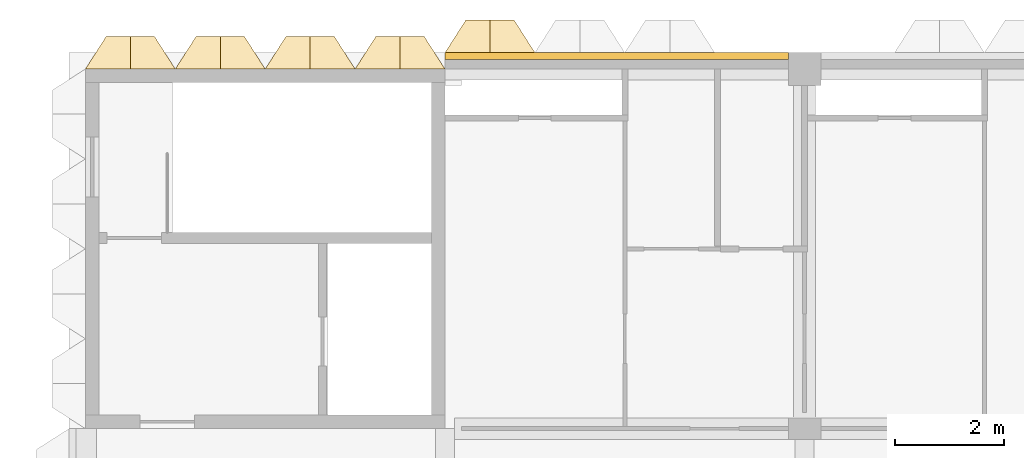
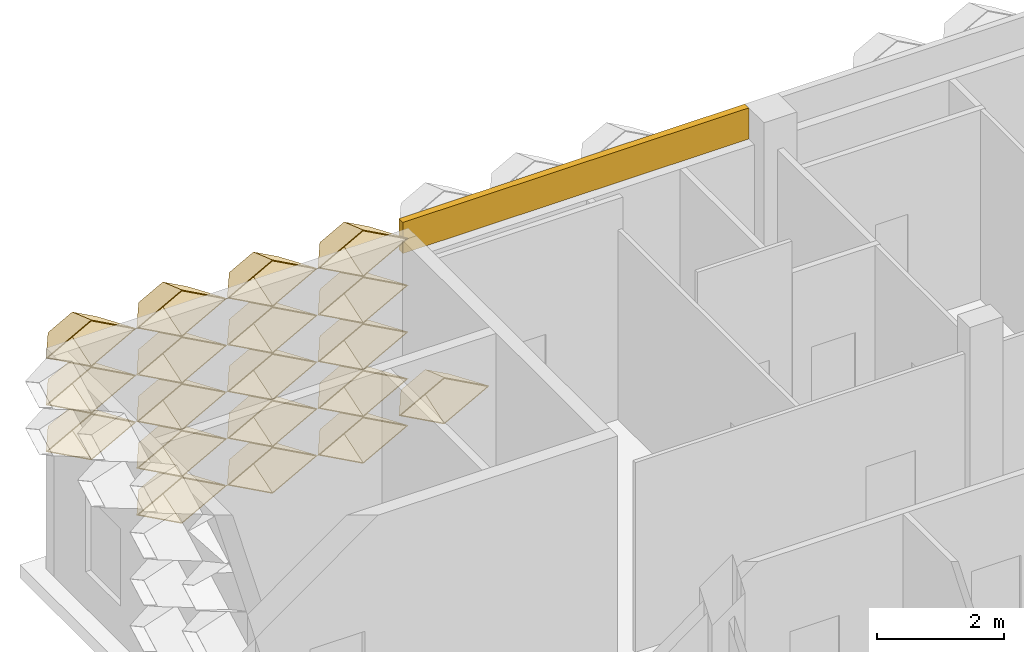
# One storey, part 75 of 85: 20 coverings.
"""IFC4 building model written with IfcOpenShell, lengths in metres."""

from ifc_helpers import new_model, entity, si_unit, direction, frame, frame_2d, origin, place, context, subcontext, project, spatial, rectangle, extrude, material, layer, layer_set, type_object, element, save


model = new_model("IFC4")

# Units and contexts
model_context = context("Model", 3, precision=1e-05, world=origin(), true_north=direction((0.0, 1.0)))
body_context = subcontext(model_context, "Body", "Model", "MODEL_VIEW")
ifc_project = project(units=[si_unit("LENGTHUNIT", "METRE"), si_unit("AREAUNIT", "SQUARE_METRE"), si_unit("VOLUMEUNIT", "CUBIC_METRE"), si_unit("PLANEANGLEUNIT", "RADIAN"), si_unit("MASSUNIT", "GRAM", prefix="KILO")], contexts=[model_context])

# Site, building, storey
site_placement = place(None, origin())
site = spatial("IfcSite", under=ifc_project, at=site_placement, CompositionType="ELEMENT")
building_placement = place(site_placement, origin())
building = spatial("IfcBuilding", under=site, at=building_placement, Name="Lantern Court Research Institute", CompositionType="ELEMENT")
storey_placement = place(building_placement, frame((0.0, 0.0, 18.89990234375)))
storey = spatial("IfcBuildingStorey", under=building, at=storey_placement, Name="L04", CompositionType="ELEMENT", Elevation=18.89990234375)

# Coverings
ifc_material_1 = material(Name="Aluminium composite panel with mineral wool insulation", Category="aluminium")
ifc_layer_1 = layer(ifc_material_1, 0.125)
ifc_layer_set_1 = layer_set([ifc_layer_1], Name="Aluminium composite panel with mineral wool insulation")
covering_type_1 = type_object("IfcCoveringType", Name="Edge fascia panel 125 aluminium faced", PredefinedType="CLADDING", material=ifc_layer_set_1)
covering_1_placement = place(storey_placement, frame((6.60009765625, 99.237548828125, 3.650146484375), z_axis=(0.0, 0.0, 1.0), x_axis=(1.0, 0.0, 0.0)))
element("IfcCovering", 1, at=covering_1_placement, inside=storey, type_object=covering_type_1, Name="Edge fascia V6N L04 01", PredefinedType="CLADDING", context=body_context, shape_type="SweptSolid", body=[
    extrude(rectangle(XDim=6.2998046875, YDim=0.125, at=frame_2d((3.14990234375, 0.0))), origin(), (0.0, 0.0, 1.0), 0.599853515625),
])
ifc_material_2 = material(Name="Anodised aluminium", Category="aluminium")
ifc_layer_2 = layer(ifc_material_2, 0.01611328125)
ifc_layer_set_2 = layer_set([ifc_layer_2], Name="Anodised aluminium")
covering_type_2 = type_object("IfcCoveringType", Name="Fin cassette 1650 x 900 x 600 aluminium", PredefinedType="CLADDING", material=ifc_layer_set_2)
covering_2_placement = place(storey_placement, frame((2.47509765625, 99.0, 0.4501953125), z_axis=(0.0, 1.0, 0.0), x_axis=(-1.0, 0.0, 0.0)))
cartesian_point_1 = entity("IfcCartesianPoint", [0.824951171875, 0.0])
cartesian_point_2 = entity("IfcCartesianPoint", [0.79150390625, 0.0])
cartesian_point_3 = entity("IfcCartesianPoint", [0.44189453125, 0.0])
cartesian_point_4 = entity("IfcCartesianPoint", [0.43359375, 0.0])
element("IfcCovering", 2, at=covering_2_placement, inside=storey, type_object=covering_type_2, Name="Fin cassette V6N-L04 1.2", PredefinedType="CLADDING", context=body_context, shape_type="SweptSolid", body=[
    entity("IfcExtrudedAreaSolidTapered", entity("IfcArbitraryProfileDefWithVoids", "AREA", None, entity("IfcPolyline", [cartesian_point_1, entity("IfcCartesianPoint", [0.0, 0.449951171875]), entity("IfcCartesianPoint", [-0.824951171875, 0.0]), entity("IfcCartesianPoint", [0.0, -0.449951171875]), cartesian_point_1]), [entity("IfcPolyline", [cartesian_point_2, entity("IfcCartesianPoint", [0.0, 0.431884765625]), entity("IfcCartesianPoint", [-0.79150390625, 0.0]), entity("IfcCartesianPoint", [0.0, -0.431884765625]), cartesian_point_2])]), entity("IfcAxis2Placement3D", entity("IfcCartesianPoint", [0.0, 0.0, 0.0])), entity("IfcDirection", [0.0, 0.0, 1.0]), 0.60009765625, entity("IfcArbitraryProfileDefWithVoids", "AREA", None, entity("IfcPolyline", [cartesian_point_3, entity("IfcCartesianPoint", [0.0, 0.240966796875]), entity("IfcCartesianPoint", [-0.44189453125, 0.0]), entity("IfcCartesianPoint", [0.0, -0.240966796875]), cartesian_point_3]), [entity("IfcPolyline", [cartesian_point_4, entity("IfcCartesianPoint", [0.0, 0.236572265625]), entity("IfcCartesianPoint", [-0.43359375, 0.0]), entity("IfcCartesianPoint", [0.0, -0.236572265625]), cartesian_point_4])])),
])
covering_3_placement = place(storey_placement, frame((4.125, 99.0, 0.4501953125), z_axis=(0.0, 1.0, 0.0), x_axis=(-1.0, 0.0, 0.0)))
cartesian_point_5 = entity("IfcCartesianPoint", [0.824951171875, 0.0])
cartesian_point_6 = entity("IfcCartesianPoint", [0.79150390625, 0.0])
cartesian_point_7 = entity("IfcCartesianPoint", [0.44189453125, 0.0])
cartesian_point_8 = entity("IfcCartesianPoint", [0.43359375, 0.0])
element("IfcCovering", 3, at=covering_3_placement, inside=storey, type_object=covering_type_2, Name="Fin cassette V6N-L04 1.3", PredefinedType="CLADDING", context=body_context, shape_type="SweptSolid", body=[
    entity("IfcExtrudedAreaSolidTapered", entity("IfcArbitraryProfileDefWithVoids", "AREA", None, entity("IfcPolyline", [cartesian_point_5, entity("IfcCartesianPoint", [0.0, 0.449951171875]), entity("IfcCartesianPoint", [-0.824951171875, 0.0]), entity("IfcCartesianPoint", [0.0, -0.449951171875]), cartesian_point_5]), [entity("IfcPolyline", [cartesian_point_6, entity("IfcCartesianPoint", [0.0, 0.431884765625]), entity("IfcCartesianPoint", [-0.79150390625, 0.0]), entity("IfcCartesianPoint", [0.0, -0.431884765625]), cartesian_point_6])]), entity("IfcAxis2Placement3D", entity("IfcCartesianPoint", [0.0, 0.0, 0.0])), entity("IfcDirection", [0.0, 0.0, 1.0]), 0.60009765625, entity("IfcArbitraryProfileDefWithVoids", "AREA", None, entity("IfcPolyline", [cartesian_point_7, entity("IfcCartesianPoint", [0.0, 0.240966796875]), entity("IfcCartesianPoint", [-0.44189453125, 0.0]), entity("IfcCartesianPoint", [0.0, -0.240966796875]), cartesian_point_7]), [entity("IfcPolyline", [cartesian_point_8, entity("IfcCartesianPoint", [0.0, 0.236572265625]), entity("IfcCartesianPoint", [-0.43359375, 0.0]), entity("IfcCartesianPoint", [0.0, -0.236572265625]), cartesian_point_8])])),
])
covering_4_placement = place(storey_placement, frame((5.77490234375, 99.0, 0.4501953125), z_axis=(0.0, 1.0, 0.0), x_axis=(-1.0, 0.0, 0.0)))
cartesian_point_9 = entity("IfcCartesianPoint", [0.824951171875, 0.0])
cartesian_point_10 = entity("IfcCartesianPoint", [0.79150390625, 0.0])
cartesian_point_11 = entity("IfcCartesianPoint", [0.44189453125, 0.0])
cartesian_point_12 = entity("IfcCartesianPoint", [0.43359375, 0.0])
element("IfcCovering", 4, at=covering_4_placement, inside=storey, type_object=covering_type_2, Name="Fin cassette V6N-L04 1.4", PredefinedType="CLADDING", context=body_context, shape_type="SweptSolid", body=[
    entity("IfcExtrudedAreaSolidTapered", entity("IfcArbitraryProfileDefWithVoids", "AREA", None, entity("IfcPolyline", [cartesian_point_9, entity("IfcCartesianPoint", [0.0, 0.449951171875]), entity("IfcCartesianPoint", [-0.824951171875, 0.0]), entity("IfcCartesianPoint", [0.0, -0.449951171875]), cartesian_point_9]), [entity("IfcPolyline", [cartesian_point_10, entity("IfcCartesianPoint", [0.0, 0.431884765625]), entity("IfcCartesianPoint", [-0.79150390625, 0.0]), entity("IfcCartesianPoint", [0.0, -0.431884765625]), cartesian_point_10])]), entity("IfcAxis2Placement3D", entity("IfcCartesianPoint", [0.0, 0.0, 0.0])), entity("IfcDirection", [0.0, 0.0, 1.0]), 0.60009765625, entity("IfcArbitraryProfileDefWithVoids", "AREA", None, entity("IfcPolyline", [cartesian_point_11, entity("IfcCartesianPoint", [0.0, 0.240966796875]), entity("IfcCartesianPoint", [-0.44189453125, 0.0]), entity("IfcCartesianPoint", [0.0, -0.240966796875]), cartesian_point_11]), [entity("IfcPolyline", [cartesian_point_12, entity("IfcCartesianPoint", [0.0, 0.236572265625]), entity("IfcCartesianPoint", [-0.43359375, 0.0]), entity("IfcCartesianPoint", [0.0, -0.236572265625]), cartesian_point_12])])),
])
covering_5_placement = place(storey_placement, frame((2.47509765625, 99.0, 1.35009765625), z_axis=(0.0, 1.0, 0.0), x_axis=(-1.0, 0.0, 0.0)))
cartesian_point_13 = entity("IfcCartesianPoint", [0.824951171875, 0.0])
cartesian_point_14 = entity("IfcCartesianPoint", [0.79150390625, 0.0])
cartesian_point_15 = entity("IfcCartesianPoint", [0.44189453125, 0.0])
cartesian_point_16 = entity("IfcCartesianPoint", [0.43359375, 0.0])
element("IfcCovering", 5, at=covering_5_placement, inside=storey, type_object=covering_type_2, Name="Fin cassette V6N-L04 2.2", PredefinedType="CLADDING", context=body_context, shape_type="SweptSolid", body=[
    entity("IfcExtrudedAreaSolidTapered", entity("IfcArbitraryProfileDefWithVoids", "AREA", None, entity("IfcPolyline", [cartesian_point_13, entity("IfcCartesianPoint", [0.0, 0.449951171875]), entity("IfcCartesianPoint", [-0.824951171875, 0.0]), entity("IfcCartesianPoint", [0.0, -0.449951171875]), cartesian_point_13]), [entity("IfcPolyline", [cartesian_point_14, entity("IfcCartesianPoint", [0.0, 0.431884765625]), entity("IfcCartesianPoint", [-0.79150390625, 0.0]), entity("IfcCartesianPoint", [0.0, -0.431884765625]), cartesian_point_14])]), entity("IfcAxis2Placement3D", entity("IfcCartesianPoint", [0.0, 0.0, 0.0])), entity("IfcDirection", [0.0, 0.0, 1.0]), 0.60009765625, entity("IfcArbitraryProfileDefWithVoids", "AREA", None, entity("IfcPolyline", [cartesian_point_15, entity("IfcCartesianPoint", [0.0, 0.240966796875]), entity("IfcCartesianPoint", [-0.44189453125, 0.0]), entity("IfcCartesianPoint", [0.0, -0.240966796875]), cartesian_point_15]), [entity("IfcPolyline", [cartesian_point_16, entity("IfcCartesianPoint", [0.0, 0.236572265625]), entity("IfcCartesianPoint", [-0.43359375, 0.0]), entity("IfcCartesianPoint", [0.0, -0.236572265625]), cartesian_point_16])])),
])
covering_6_placement = place(storey_placement, frame((4.125, 99.0, 1.35009765625), z_axis=(0.0, 1.0, 0.0), x_axis=(-1.0, 0.0, 0.0)))
cartesian_point_17 = entity("IfcCartesianPoint", [0.824951171875, 0.0])
cartesian_point_18 = entity("IfcCartesianPoint", [0.79150390625, 0.0])
cartesian_point_19 = entity("IfcCartesianPoint", [0.44189453125, 0.0])
cartesian_point_20 = entity("IfcCartesianPoint", [0.43359375, 0.0])
element("IfcCovering", 6, at=covering_6_placement, inside=storey, type_object=covering_type_2, Name="Fin cassette V6N-L04 2.3", PredefinedType="CLADDING", context=body_context, shape_type="SweptSolid", body=[
    entity("IfcExtrudedAreaSolidTapered", entity("IfcArbitraryProfileDefWithVoids", "AREA", None, entity("IfcPolyline", [cartesian_point_17, entity("IfcCartesianPoint", [0.0, 0.449951171875]), entity("IfcCartesianPoint", [-0.824951171875, 0.0]), entity("IfcCartesianPoint", [0.0, -0.449951171875]), cartesian_point_17]), [entity("IfcPolyline", [cartesian_point_18, entity("IfcCartesianPoint", [0.0, 0.431884765625]), entity("IfcCartesianPoint", [-0.79150390625, 0.0]), entity("IfcCartesianPoint", [0.0, -0.431884765625]), cartesian_point_18])]), entity("IfcAxis2Placement3D", entity("IfcCartesianPoint", [0.0, 0.0, 0.0])), entity("IfcDirection", [0.0, 0.0, 1.0]), 0.60009765625, entity("IfcArbitraryProfileDefWithVoids", "AREA", None, entity("IfcPolyline", [cartesian_point_19, entity("IfcCartesianPoint", [0.0, 0.240966796875]), entity("IfcCartesianPoint", [-0.44189453125, 0.0]), entity("IfcCartesianPoint", [0.0, -0.240966796875]), cartesian_point_19]), [entity("IfcPolyline", [cartesian_point_20, entity("IfcCartesianPoint", [0.0, 0.236572265625]), entity("IfcCartesianPoint", [-0.43359375, 0.0]), entity("IfcCartesianPoint", [0.0, -0.236572265625]), cartesian_point_20])])),
])
covering_7_placement = place(storey_placement, frame((5.77490234375, 99.0, 1.35009765625), z_axis=(0.0, 1.0, 0.0), x_axis=(-1.0, 0.0, 0.0)))
cartesian_point_21 = entity("IfcCartesianPoint", [0.824951171875, 0.0])
cartesian_point_22 = entity("IfcCartesianPoint", [0.79150390625, 0.0])
cartesian_point_23 = entity("IfcCartesianPoint", [0.44189453125, 0.0])
cartesian_point_24 = entity("IfcCartesianPoint", [0.43359375, 0.0])
element("IfcCovering", 7, at=covering_7_placement, inside=storey, type_object=covering_type_2, Name="Fin cassette V6N-L04 2.4", PredefinedType="CLADDING", context=body_context, shape_type="SweptSolid", body=[
    entity("IfcExtrudedAreaSolidTapered", entity("IfcArbitraryProfileDefWithVoids", "AREA", None, entity("IfcPolyline", [cartesian_point_21, entity("IfcCartesianPoint", [0.0, 0.449951171875]), entity("IfcCartesianPoint", [-0.824951171875, 0.0]), entity("IfcCartesianPoint", [0.0, -0.449951171875]), cartesian_point_21]), [entity("IfcPolyline", [cartesian_point_22, entity("IfcCartesianPoint", [0.0, 0.431884765625]), entity("IfcCartesianPoint", [-0.79150390625, 0.0]), entity("IfcCartesianPoint", [0.0, -0.431884765625]), cartesian_point_22])]), entity("IfcAxis2Placement3D", entity("IfcCartesianPoint", [0.0, 0.0, 0.0])), entity("IfcDirection", [0.0, 0.0, 1.0]), 0.60009765625, entity("IfcArbitraryProfileDefWithVoids", "AREA", None, entity("IfcPolyline", [cartesian_point_23, entity("IfcCartesianPoint", [0.0, 0.240966796875]), entity("IfcCartesianPoint", [-0.44189453125, 0.0]), entity("IfcCartesianPoint", [0.0, -0.240966796875]), cartesian_point_23]), [entity("IfcPolyline", [cartesian_point_24, entity("IfcCartesianPoint", [0.0, 0.236572265625]), entity("IfcCartesianPoint", [-0.43359375, 0.0]), entity("IfcCartesianPoint", [0.0, -0.236572265625]), cartesian_point_24])])),
])
covering_8_placement = place(storey_placement, frame((0.824951171875, 99.0, 2.25), z_axis=(0.0, 1.0, 0.0), x_axis=(-1.0, 0.0, 0.0)))
cartesian_point_25 = entity("IfcCartesianPoint", [0.824951171875, 0.0])
cartesian_point_26 = entity("IfcCartesianPoint", [0.79150390625, 0.0])
cartesian_point_27 = entity("IfcCartesianPoint", [0.44189453125, 0.0])
cartesian_point_28 = entity("IfcCartesianPoint", [0.43359375, 0.0])
element("IfcCovering", 8, at=covering_8_placement, inside=storey, type_object=covering_type_2, Name="Fin cassette V6N-L04 3.1", PredefinedType="CLADDING", context=body_context, shape_type="SweptSolid", body=[
    entity("IfcExtrudedAreaSolidTapered", entity("IfcArbitraryProfileDefWithVoids", "AREA", None, entity("IfcPolyline", [cartesian_point_25, entity("IfcCartesianPoint", [0.0, 0.449951171875]), entity("IfcCartesianPoint", [-0.824951171875, 0.0]), entity("IfcCartesianPoint", [0.0, -0.449951171875]), cartesian_point_25]), [entity("IfcPolyline", [cartesian_point_26, entity("IfcCartesianPoint", [0.0, 0.431884765625]), entity("IfcCartesianPoint", [-0.79150390625, 0.0]), entity("IfcCartesianPoint", [0.0, -0.431884765625]), cartesian_point_26])]), entity("IfcAxis2Placement3D", entity("IfcCartesianPoint", [0.0, 0.0, 0.0])), entity("IfcDirection", [0.0, 0.0, 1.0]), 0.60009765625, entity("IfcArbitraryProfileDefWithVoids", "AREA", None, entity("IfcPolyline", [cartesian_point_27, entity("IfcCartesianPoint", [0.0, 0.240966796875]), entity("IfcCartesianPoint", [-0.44189453125, 0.0]), entity("IfcCartesianPoint", [0.0, -0.240966796875]), cartesian_point_27]), [entity("IfcPolyline", [cartesian_point_28, entity("IfcCartesianPoint", [0.0, 0.236572265625]), entity("IfcCartesianPoint", [-0.43359375, 0.0]), entity("IfcCartesianPoint", [0.0, -0.236572265625]), cartesian_point_28])])),
])
covering_9_placement = place(storey_placement, frame((2.47509765625, 99.0, 2.25), z_axis=(0.0, 1.0, 0.0), x_axis=(-1.0, 0.0, 0.0)))
cartesian_point_29 = entity("IfcCartesianPoint", [0.824951171875, 0.0])
cartesian_point_30 = entity("IfcCartesianPoint", [0.79150390625, 0.0])
cartesian_point_31 = entity("IfcCartesianPoint", [0.44189453125, 0.0])
cartesian_point_32 = entity("IfcCartesianPoint", [0.43359375, 0.0])
element("IfcCovering", 9, at=covering_9_placement, inside=storey, type_object=covering_type_2, Name="Fin cassette V6N-L04 3.2", PredefinedType="CLADDING", context=body_context, shape_type="SweptSolid", body=[
    entity("IfcExtrudedAreaSolidTapered", entity("IfcArbitraryProfileDefWithVoids", "AREA", None, entity("IfcPolyline", [cartesian_point_29, entity("IfcCartesianPoint", [0.0, 0.449951171875]), entity("IfcCartesianPoint", [-0.824951171875, 0.0]), entity("IfcCartesianPoint", [0.0, -0.449951171875]), cartesian_point_29]), [entity("IfcPolyline", [cartesian_point_30, entity("IfcCartesianPoint", [0.0, 0.431884765625]), entity("IfcCartesianPoint", [-0.79150390625, 0.0]), entity("IfcCartesianPoint", [0.0, -0.431884765625]), cartesian_point_30])]), entity("IfcAxis2Placement3D", entity("IfcCartesianPoint", [0.0, 0.0, 0.0])), entity("IfcDirection", [0.0, 0.0, 1.0]), 0.60009765625, entity("IfcArbitraryProfileDefWithVoids", "AREA", None, entity("IfcPolyline", [cartesian_point_31, entity("IfcCartesianPoint", [0.0, 0.240966796875]), entity("IfcCartesianPoint", [-0.44189453125, 0.0]), entity("IfcCartesianPoint", [0.0, -0.240966796875]), cartesian_point_31]), [entity("IfcPolyline", [cartesian_point_32, entity("IfcCartesianPoint", [0.0, 0.236572265625]), entity("IfcCartesianPoint", [-0.43359375, 0.0]), entity("IfcCartesianPoint", [0.0, -0.236572265625]), cartesian_point_32])])),
])
covering_10_placement = place(storey_placement, frame((4.125, 99.0, 2.25), z_axis=(0.0, 1.0, 0.0), x_axis=(-1.0, 0.0, 0.0)))
cartesian_point_33 = entity("IfcCartesianPoint", [0.824951171875, 0.0])
cartesian_point_34 = entity("IfcCartesianPoint", [0.79150390625, 0.0])
cartesian_point_35 = entity("IfcCartesianPoint", [0.44189453125, 0.0])
cartesian_point_36 = entity("IfcCartesianPoint", [0.43359375, 0.0])
element("IfcCovering", 10, at=covering_10_placement, inside=storey, type_object=covering_type_2, Name="Fin cassette V6N-L04 3.3", PredefinedType="CLADDING", context=body_context, shape_type="SweptSolid", body=[
    entity("IfcExtrudedAreaSolidTapered", entity("IfcArbitraryProfileDefWithVoids", "AREA", None, entity("IfcPolyline", [cartesian_point_33, entity("IfcCartesianPoint", [0.0, 0.449951171875]), entity("IfcCartesianPoint", [-0.824951171875, 0.0]), entity("IfcCartesianPoint", [0.0, -0.449951171875]), cartesian_point_33]), [entity("IfcPolyline", [cartesian_point_34, entity("IfcCartesianPoint", [0.0, 0.431884765625]), entity("IfcCartesianPoint", [-0.79150390625, 0.0]), entity("IfcCartesianPoint", [0.0, -0.431884765625]), cartesian_point_34])]), entity("IfcAxis2Placement3D", entity("IfcCartesianPoint", [0.0, 0.0, 0.0])), entity("IfcDirection", [0.0, 0.0, 1.0]), 0.60009765625, entity("IfcArbitraryProfileDefWithVoids", "AREA", None, entity("IfcPolyline", [cartesian_point_35, entity("IfcCartesianPoint", [0.0, 0.240966796875]), entity("IfcCartesianPoint", [-0.44189453125, 0.0]), entity("IfcCartesianPoint", [0.0, -0.240966796875]), cartesian_point_35]), [entity("IfcPolyline", [cartesian_point_36, entity("IfcCartesianPoint", [0.0, 0.236572265625]), entity("IfcCartesianPoint", [-0.43359375, 0.0]), entity("IfcCartesianPoint", [0.0, -0.236572265625]), cartesian_point_36])])),
])
covering_11_placement = place(storey_placement, frame((5.77490234375, 99.0, 2.25), z_axis=(0.0, 1.0, 0.0), x_axis=(-1.0, 0.0, 0.0)))
cartesian_point_37 = entity("IfcCartesianPoint", [0.824951171875, 0.0])
cartesian_point_38 = entity("IfcCartesianPoint", [0.79150390625, 0.0])
cartesian_point_39 = entity("IfcCartesianPoint", [0.44189453125, 0.0])
cartesian_point_40 = entity("IfcCartesianPoint", [0.43359375, 0.0])
element("IfcCovering", 11, at=covering_11_placement, inside=storey, type_object=covering_type_2, Name="Fin cassette V6N-L04 3.4", PredefinedType="CLADDING", context=body_context, shape_type="SweptSolid", body=[
    entity("IfcExtrudedAreaSolidTapered", entity("IfcArbitraryProfileDefWithVoids", "AREA", None, entity("IfcPolyline", [cartesian_point_37, entity("IfcCartesianPoint", [0.0, 0.449951171875]), entity("IfcCartesianPoint", [-0.824951171875, 0.0]), entity("IfcCartesianPoint", [0.0, -0.449951171875]), cartesian_point_37]), [entity("IfcPolyline", [cartesian_point_38, entity("IfcCartesianPoint", [0.0, 0.431884765625]), entity("IfcCartesianPoint", [-0.79150390625, 0.0]), entity("IfcCartesianPoint", [0.0, -0.431884765625]), cartesian_point_38])]), entity("IfcAxis2Placement3D", entity("IfcCartesianPoint", [0.0, 0.0, 0.0])), entity("IfcDirection", [0.0, 0.0, 1.0]), 0.60009765625, entity("IfcArbitraryProfileDefWithVoids", "AREA", None, entity("IfcPolyline", [cartesian_point_39, entity("IfcCartesianPoint", [0.0, 0.240966796875]), entity("IfcCartesianPoint", [-0.44189453125, 0.0]), entity("IfcCartesianPoint", [0.0, -0.240966796875]), cartesian_point_39]), [entity("IfcPolyline", [cartesian_point_40, entity("IfcCartesianPoint", [0.0, 0.236572265625]), entity("IfcCartesianPoint", [-0.43359375, 0.0]), entity("IfcCartesianPoint", [0.0, -0.236572265625]), cartesian_point_40])])),
])
covering_12_placement = place(storey_placement, frame((0.824951171875, 99.0, 3.150146484375), z_axis=(0.0, 1.0, 0.0), x_axis=(-1.0, 0.0, 0.0)))
cartesian_point_41 = entity("IfcCartesianPoint", [0.824951171875, 0.0])
cartesian_point_42 = entity("IfcCartesianPoint", [0.79150390625, 0.0])
cartesian_point_43 = entity("IfcCartesianPoint", [0.44189453125, 0.0])
cartesian_point_44 = entity("IfcCartesianPoint", [0.43359375, 0.0])
element("IfcCovering", 12, at=covering_12_placement, inside=storey, type_object=covering_type_2, Name="Fin cassette V6N-L04 4.1", PredefinedType="CLADDING", context=body_context, shape_type="SweptSolid", body=[
    entity("IfcExtrudedAreaSolidTapered", entity("IfcArbitraryProfileDefWithVoids", "AREA", None, entity("IfcPolyline", [cartesian_point_41, entity("IfcCartesianPoint", [0.0, 0.449951171875]), entity("IfcCartesianPoint", [-0.824951171875, 0.0]), entity("IfcCartesianPoint", [0.0, -0.449951171875]), cartesian_point_41]), [entity("IfcPolyline", [cartesian_point_42, entity("IfcCartesianPoint", [0.0, 0.431884765625]), entity("IfcCartesianPoint", [-0.79150390625, 0.0]), entity("IfcCartesianPoint", [0.0, -0.431884765625]), cartesian_point_42])]), entity("IfcAxis2Placement3D", entity("IfcCartesianPoint", [0.0, 0.0, 0.0])), entity("IfcDirection", [0.0, 0.0, 1.0]), 0.60009765625, entity("IfcArbitraryProfileDefWithVoids", "AREA", None, entity("IfcPolyline", [cartesian_point_43, entity("IfcCartesianPoint", [0.0, 0.240966796875]), entity("IfcCartesianPoint", [-0.44189453125, 0.0]), entity("IfcCartesianPoint", [0.0, -0.240966796875]), cartesian_point_43]), [entity("IfcPolyline", [cartesian_point_44, entity("IfcCartesianPoint", [0.0, 0.236572265625]), entity("IfcCartesianPoint", [-0.43359375, 0.0]), entity("IfcCartesianPoint", [0.0, -0.236572265625]), cartesian_point_44])])),
])
covering_13_placement = place(storey_placement, frame((2.47509765625, 99.0, 3.150146484375), z_axis=(0.0, 1.0, 0.0), x_axis=(-1.0, 0.0, 0.0)))
cartesian_point_45 = entity("IfcCartesianPoint", [0.824951171875, 0.0])
cartesian_point_46 = entity("IfcCartesianPoint", [0.79150390625, 0.0])
cartesian_point_47 = entity("IfcCartesianPoint", [0.44189453125, 0.0])
cartesian_point_48 = entity("IfcCartesianPoint", [0.43359375, 0.0])
element("IfcCovering", 13, at=covering_13_placement, inside=storey, type_object=covering_type_2, Name="Fin cassette V6N-L04 4.2", PredefinedType="CLADDING", context=body_context, shape_type="SweptSolid", body=[
    entity("IfcExtrudedAreaSolidTapered", entity("IfcArbitraryProfileDefWithVoids", "AREA", None, entity("IfcPolyline", [cartesian_point_45, entity("IfcCartesianPoint", [0.0, 0.449951171875]), entity("IfcCartesianPoint", [-0.824951171875, 0.0]), entity("IfcCartesianPoint", [0.0, -0.449951171875]), cartesian_point_45]), [entity("IfcPolyline", [cartesian_point_46, entity("IfcCartesianPoint", [0.0, 0.431884765625]), entity("IfcCartesianPoint", [-0.79150390625, 0.0]), entity("IfcCartesianPoint", [0.0, -0.431884765625]), cartesian_point_46])]), entity("IfcAxis2Placement3D", entity("IfcCartesianPoint", [0.0, 0.0, 0.0])), entity("IfcDirection", [0.0, 0.0, 1.0]), 0.60009765625, entity("IfcArbitraryProfileDefWithVoids", "AREA", None, entity("IfcPolyline", [cartesian_point_47, entity("IfcCartesianPoint", [0.0, 0.240966796875]), entity("IfcCartesianPoint", [-0.44189453125, 0.0]), entity("IfcCartesianPoint", [0.0, -0.240966796875]), cartesian_point_47]), [entity("IfcPolyline", [cartesian_point_48, entity("IfcCartesianPoint", [0.0, 0.236572265625]), entity("IfcCartesianPoint", [-0.43359375, 0.0]), entity("IfcCartesianPoint", [0.0, -0.236572265625]), cartesian_point_48])])),
])
covering_14_placement = place(storey_placement, frame((4.125, 99.0, 3.150146484375), z_axis=(0.0, 1.0, 0.0), x_axis=(-1.0, 0.0, 0.0)))
cartesian_point_49 = entity("IfcCartesianPoint", [0.824951171875, 0.0])
cartesian_point_50 = entity("IfcCartesianPoint", [0.79150390625, 0.0])
cartesian_point_51 = entity("IfcCartesianPoint", [0.44189453125, 0.0])
cartesian_point_52 = entity("IfcCartesianPoint", [0.43359375, 0.0])
element("IfcCovering", 14, at=covering_14_placement, inside=storey, type_object=covering_type_2, Name="Fin cassette V6N-L04 4.3", PredefinedType="CLADDING", context=body_context, shape_type="SweptSolid", body=[
    entity("IfcExtrudedAreaSolidTapered", entity("IfcArbitraryProfileDefWithVoids", "AREA", None, entity("IfcPolyline", [cartesian_point_49, entity("IfcCartesianPoint", [0.0, 0.449951171875]), entity("IfcCartesianPoint", [-0.824951171875, 0.0]), entity("IfcCartesianPoint", [0.0, -0.449951171875]), cartesian_point_49]), [entity("IfcPolyline", [cartesian_point_50, entity("IfcCartesianPoint", [0.0, 0.431884765625]), entity("IfcCartesianPoint", [-0.79150390625, 0.0]), entity("IfcCartesianPoint", [0.0, -0.431884765625]), cartesian_point_50])]), entity("IfcAxis2Placement3D", entity("IfcCartesianPoint", [0.0, 0.0, 0.0])), entity("IfcDirection", [0.0, 0.0, 1.0]), 0.60009765625, entity("IfcArbitraryProfileDefWithVoids", "AREA", None, entity("IfcPolyline", [cartesian_point_51, entity("IfcCartesianPoint", [0.0, 0.240966796875]), entity("IfcCartesianPoint", [-0.44189453125, 0.0]), entity("IfcCartesianPoint", [0.0, -0.240966796875]), cartesian_point_51]), [entity("IfcPolyline", [cartesian_point_52, entity("IfcCartesianPoint", [0.0, 0.236572265625]), entity("IfcCartesianPoint", [-0.43359375, 0.0]), entity("IfcCartesianPoint", [0.0, -0.236572265625]), cartesian_point_52])])),
])
covering_15_placement = place(storey_placement, frame((5.77490234375, 99.0, 3.150146484375), z_axis=(0.0, 1.0, 0.0), x_axis=(-1.0, 0.0, 0.0)))
cartesian_point_53 = entity("IfcCartesianPoint", [0.824951171875, 0.0])
cartesian_point_54 = entity("IfcCartesianPoint", [0.79150390625, 0.0])
cartesian_point_55 = entity("IfcCartesianPoint", [0.44189453125, 0.0])
cartesian_point_56 = entity("IfcCartesianPoint", [0.43359375, 0.0])
element("IfcCovering", 15, at=covering_15_placement, inside=storey, type_object=covering_type_2, Name="Fin cassette V6N-L04 4.4", PredefinedType="CLADDING", context=body_context, shape_type="SweptSolid", body=[
    entity("IfcExtrudedAreaSolidTapered", entity("IfcArbitraryProfileDefWithVoids", "AREA", None, entity("IfcPolyline", [cartesian_point_53, entity("IfcCartesianPoint", [0.0, 0.449951171875]), entity("IfcCartesianPoint", [-0.824951171875, 0.0]), entity("IfcCartesianPoint", [0.0, -0.449951171875]), cartesian_point_53]), [entity("IfcPolyline", [cartesian_point_54, entity("IfcCartesianPoint", [0.0, 0.431884765625]), entity("IfcCartesianPoint", [-0.79150390625, 0.0]), entity("IfcCartesianPoint", [0.0, -0.431884765625]), cartesian_point_54])]), entity("IfcAxis2Placement3D", entity("IfcCartesianPoint", [0.0, 0.0, 0.0])), entity("IfcDirection", [0.0, 0.0, 1.0]), 0.60009765625, entity("IfcArbitraryProfileDefWithVoids", "AREA", None, entity("IfcPolyline", [cartesian_point_55, entity("IfcCartesianPoint", [0.0, 0.240966796875]), entity("IfcCartesianPoint", [-0.44189453125, 0.0]), entity("IfcCartesianPoint", [0.0, -0.240966796875]), cartesian_point_55]), [entity("IfcPolyline", [cartesian_point_56, entity("IfcCartesianPoint", [0.0, 0.236572265625]), entity("IfcCartesianPoint", [-0.43359375, 0.0]), entity("IfcCartesianPoint", [0.0, -0.236572265625]), cartesian_point_56])])),
])
covering_16_placement = place(storey_placement, frame((0.824951171875, 99.0, 4.050048828125), z_axis=(0.0, 1.0, 0.0), x_axis=(-1.0, 0.0, 0.0)))
cartesian_point_57 = entity("IfcCartesianPoint", [0.824951171875, 0.0])
cartesian_point_58 = entity("IfcCartesianPoint", [0.79150390625, 0.0])
cartesian_point_59 = entity("IfcCartesianPoint", [0.44189453125, 0.0])
cartesian_point_60 = entity("IfcCartesianPoint", [0.43359375, 0.0])
element("IfcCovering", 16, at=covering_16_placement, inside=storey, type_object=covering_type_2, Name="Fin cassette V6N-L04 5.1", PredefinedType="CLADDING", context=body_context, shape_type="SweptSolid", body=[
    entity("IfcExtrudedAreaSolidTapered", entity("IfcArbitraryProfileDefWithVoids", "AREA", None, entity("IfcPolyline", [cartesian_point_57, entity("IfcCartesianPoint", [0.0, 0.449951171875]), entity("IfcCartesianPoint", [-0.824951171875, 0.0]), entity("IfcCartesianPoint", [0.0, -0.449951171875]), cartesian_point_57]), [entity("IfcPolyline", [cartesian_point_58, entity("IfcCartesianPoint", [0.0, 0.431884765625]), entity("IfcCartesianPoint", [-0.79150390625, 0.0]), entity("IfcCartesianPoint", [0.0, -0.431884765625]), cartesian_point_58])]), entity("IfcAxis2Placement3D", entity("IfcCartesianPoint", [0.0, 0.0, 0.0])), entity("IfcDirection", [0.0, 0.0, 1.0]), 0.60009765625, entity("IfcArbitraryProfileDefWithVoids", "AREA", None, entity("IfcPolyline", [cartesian_point_59, entity("IfcCartesianPoint", [0.0, 0.240966796875]), entity("IfcCartesianPoint", [-0.44189453125, 0.0]), entity("IfcCartesianPoint", [0.0, -0.240966796875]), cartesian_point_59]), [entity("IfcPolyline", [cartesian_point_60, entity("IfcCartesianPoint", [0.0, 0.236572265625]), entity("IfcCartesianPoint", [-0.43359375, 0.0]), entity("IfcCartesianPoint", [0.0, -0.236572265625]), cartesian_point_60])])),
])
covering_17_placement = place(storey_placement, frame((2.47509765625, 99.0, 4.050048828125), z_axis=(0.0, 1.0, 0.0), x_axis=(-1.0, 0.0, 0.0)))
cartesian_point_61 = entity("IfcCartesianPoint", [0.824951171875, 0.0])
cartesian_point_62 = entity("IfcCartesianPoint", [0.79150390625, 0.0])
cartesian_point_63 = entity("IfcCartesianPoint", [0.44189453125, 0.0])
cartesian_point_64 = entity("IfcCartesianPoint", [0.43359375, 0.0])
element("IfcCovering", 17, at=covering_17_placement, inside=storey, type_object=covering_type_2, Name="Fin cassette V6N-L04 5.2", PredefinedType="CLADDING", context=body_context, shape_type="SweptSolid", body=[
    entity("IfcExtrudedAreaSolidTapered", entity("IfcArbitraryProfileDefWithVoids", "AREA", None, entity("IfcPolyline", [cartesian_point_61, entity("IfcCartesianPoint", [0.0, 0.449951171875]), entity("IfcCartesianPoint", [-0.824951171875, 0.0]), entity("IfcCartesianPoint", [0.0, -0.449951171875]), cartesian_point_61]), [entity("IfcPolyline", [cartesian_point_62, entity("IfcCartesianPoint", [0.0, 0.431884765625]), entity("IfcCartesianPoint", [-0.79150390625, 0.0]), entity("IfcCartesianPoint", [0.0, -0.431884765625]), cartesian_point_62])]), entity("IfcAxis2Placement3D", entity("IfcCartesianPoint", [0.0, 0.0, 0.0])), entity("IfcDirection", [0.0, 0.0, 1.0]), 0.60009765625, entity("IfcArbitraryProfileDefWithVoids", "AREA", None, entity("IfcPolyline", [cartesian_point_63, entity("IfcCartesianPoint", [0.0, 0.240966796875]), entity("IfcCartesianPoint", [-0.44189453125, 0.0]), entity("IfcCartesianPoint", [0.0, -0.240966796875]), cartesian_point_63]), [entity("IfcPolyline", [cartesian_point_64, entity("IfcCartesianPoint", [0.0, 0.236572265625]), entity("IfcCartesianPoint", [-0.43359375, 0.0]), entity("IfcCartesianPoint", [0.0, -0.236572265625]), cartesian_point_64])])),
])
covering_18_placement = place(storey_placement, frame((4.125, 99.0, 4.050048828125), z_axis=(0.0, 1.0, 0.0), x_axis=(-1.0, 0.0, 0.0)))
cartesian_point_65 = entity("IfcCartesianPoint", [0.824951171875, 0.0])
cartesian_point_66 = entity("IfcCartesianPoint", [0.79150390625, 0.0])
cartesian_point_67 = entity("IfcCartesianPoint", [0.44189453125, 0.0])
cartesian_point_68 = entity("IfcCartesianPoint", [0.43359375, 0.0])
element("IfcCovering", 18, at=covering_18_placement, inside=storey, type_object=covering_type_2, Name="Fin cassette V6N-L04 5.3", PredefinedType="CLADDING", context=body_context, shape_type="SweptSolid", body=[
    entity("IfcExtrudedAreaSolidTapered", entity("IfcArbitraryProfileDefWithVoids", "AREA", None, entity("IfcPolyline", [cartesian_point_65, entity("IfcCartesianPoint", [0.0, 0.449951171875]), entity("IfcCartesianPoint", [-0.824951171875, 0.0]), entity("IfcCartesianPoint", [0.0, -0.449951171875]), cartesian_point_65]), [entity("IfcPolyline", [cartesian_point_66, entity("IfcCartesianPoint", [0.0, 0.431884765625]), entity("IfcCartesianPoint", [-0.79150390625, 0.0]), entity("IfcCartesianPoint", [0.0, -0.431884765625]), cartesian_point_66])]), entity("IfcAxis2Placement3D", entity("IfcCartesianPoint", [0.0, 0.0, 0.0])), entity("IfcDirection", [0.0, 0.0, 1.0]), 0.60009765625, entity("IfcArbitraryProfileDefWithVoids", "AREA", None, entity("IfcPolyline", [cartesian_point_67, entity("IfcCartesianPoint", [0.0, 0.240966796875]), entity("IfcCartesianPoint", [-0.44189453125, 0.0]), entity("IfcCartesianPoint", [0.0, -0.240966796875]), cartesian_point_67]), [entity("IfcPolyline", [cartesian_point_68, entity("IfcCartesianPoint", [0.0, 0.236572265625]), entity("IfcCartesianPoint", [-0.43359375, 0.0]), entity("IfcCartesianPoint", [0.0, -0.236572265625]), cartesian_point_68])])),
])
covering_19_placement = place(storey_placement, frame((5.77490234375, 99.0, 4.050048828125), z_axis=(0.0, 1.0, 0.0), x_axis=(-1.0, 0.0, 0.0)))
cartesian_point_69 = entity("IfcCartesianPoint", [0.824951171875, 0.0])
cartesian_point_70 = entity("IfcCartesianPoint", [0.79150390625, 0.0])
cartesian_point_71 = entity("IfcCartesianPoint", [0.44189453125, 0.0])
cartesian_point_72 = entity("IfcCartesianPoint", [0.43359375, 0.0])
element("IfcCovering", 19, at=covering_19_placement, inside=storey, type_object=covering_type_2, Name="Fin cassette V6N-L04 5.4", PredefinedType="CLADDING", context=body_context, shape_type="SweptSolid", body=[
    entity("IfcExtrudedAreaSolidTapered", entity("IfcArbitraryProfileDefWithVoids", "AREA", None, entity("IfcPolyline", [cartesian_point_69, entity("IfcCartesianPoint", [0.0, 0.449951171875]), entity("IfcCartesianPoint", [-0.824951171875, 0.0]), entity("IfcCartesianPoint", [0.0, -0.449951171875]), cartesian_point_69]), [entity("IfcPolyline", [cartesian_point_70, entity("IfcCartesianPoint", [0.0, 0.431884765625]), entity("IfcCartesianPoint", [-0.79150390625, 0.0]), entity("IfcCartesianPoint", [0.0, -0.431884765625]), cartesian_point_70])]), entity("IfcAxis2Placement3D", entity("IfcCartesianPoint", [0.0, 0.0, 0.0])), entity("IfcDirection", [0.0, 0.0, 1.0]), 0.60009765625, entity("IfcArbitraryProfileDefWithVoids", "AREA", None, entity("IfcPolyline", [cartesian_point_71, entity("IfcCartesianPoint", [0.0, 0.240966796875]), entity("IfcCartesianPoint", [-0.44189453125, 0.0]), entity("IfcCartesianPoint", [0.0, -0.240966796875]), cartesian_point_71]), [entity("IfcPolyline", [cartesian_point_72, entity("IfcCartesianPoint", [0.0, 0.236572265625]), entity("IfcCartesianPoint", [-0.43359375, 0.0]), entity("IfcCartesianPoint", [0.0, -0.236572265625]), cartesian_point_72])])),
])
covering_20_placement = place(storey_placement, frame((7.425048828125, 99.300048828125, 0.4501953125), z_axis=(0.0, 1.0, 0.0), x_axis=(-1.0, 0.0, 0.0)))
cartesian_point_73 = entity("IfcCartesianPoint", [0.824951171875, 0.0])
cartesian_point_74 = entity("IfcCartesianPoint", [0.79150390625, 0.0])
cartesian_point_75 = entity("IfcCartesianPoint", [0.44189453125, 0.0])
cartesian_point_76 = entity("IfcCartesianPoint", [0.43359375, 0.0])
element("IfcCovering", 20, at=covering_20_placement, inside=storey, type_object=covering_type_2, Name="Fin cassette V6N-L04 1.5", PredefinedType="CLADDING", context=body_context, shape_type="SweptSolid", body=[
    entity("IfcExtrudedAreaSolidTapered", entity("IfcArbitraryProfileDefWithVoids", "AREA", None, entity("IfcPolyline", [cartesian_point_73, entity("IfcCartesianPoint", [0.0, 0.449951171875]), entity("IfcCartesianPoint", [-0.824951171875, 0.0]), entity("IfcCartesianPoint", [0.0, -0.449951171875]), cartesian_point_73]), [entity("IfcPolyline", [cartesian_point_74, entity("IfcCartesianPoint", [0.0, 0.431884765625]), entity("IfcCartesianPoint", [-0.79150390625, 0.0]), entity("IfcCartesianPoint", [0.0, -0.431884765625]), cartesian_point_74])]), entity("IfcAxis2Placement3D", entity("IfcCartesianPoint", [0.0, 0.0, 0.0])), entity("IfcDirection", [0.0, 0.0, 1.0]), 0.60009765625, entity("IfcArbitraryProfileDefWithVoids", "AREA", None, entity("IfcPolyline", [cartesian_point_75, entity("IfcCartesianPoint", [0.0, 0.240966796875]), entity("IfcCartesianPoint", [-0.44189453125, 0.0]), entity("IfcCartesianPoint", [0.0, -0.240966796875]), cartesian_point_75]), [entity("IfcPolyline", [cartesian_point_76, entity("IfcCartesianPoint", [0.0, 0.236572265625]), entity("IfcCartesianPoint", [-0.43359375, 0.0]), entity("IfcCartesianPoint", [0.0, -0.236572265625]), cartesian_point_76])])),
])

save(model, "model.ifc")
